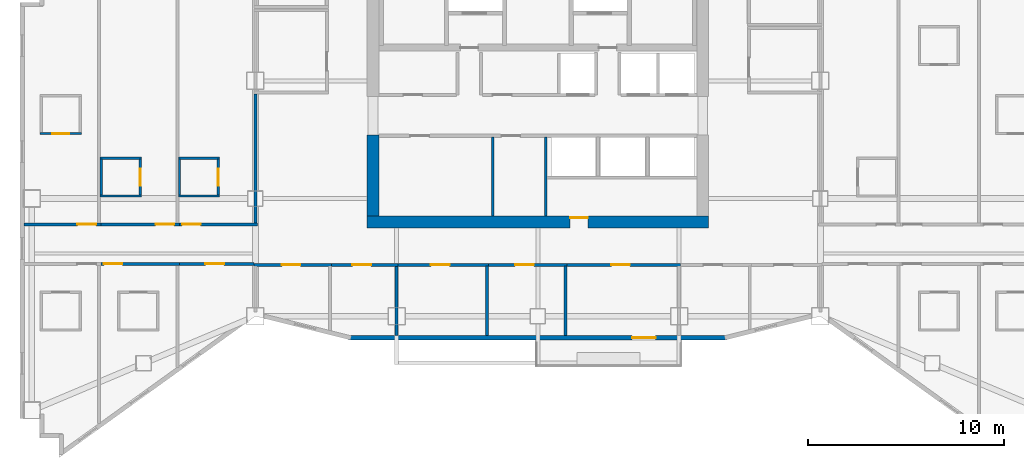
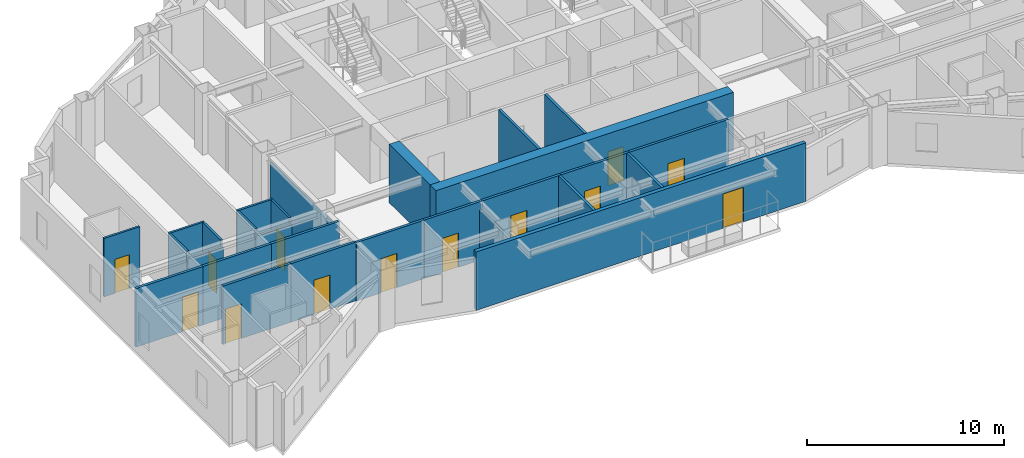
# One storey, part 5 of 11: 28 walls, 15 doors, 15 openings.
"""IFC4 building model written with IfcOpenShell, lengths in metres."""

from ifc_helpers import new_model, si_unit, direction, frame, frame_2d, origin, place, context, subcontext, project, spatial, rectangle, extrude, material, layer, layer_set, type_object, element, fill, save


model = new_model("IFC4")

# Units and contexts
model_context = context("Model", 3, precision=1e-05, world=origin(), true_north=direction((0.0, 1.0)))
body_context = subcontext(model_context, "Body", "Model", "MODEL_VIEW")
ifc_project = project(units=[si_unit("LENGTHUNIT", "METRE"), si_unit("AREAUNIT", "SQUARE_METRE"), si_unit("VOLUMEUNIT", "CUBIC_METRE"), si_unit("PLANEANGLEUNIT", "RADIAN"), si_unit("MASSUNIT", "GRAM", prefix="KILO")], contexts=[model_context])

# Site, building, storey
site_placement = place(None, origin())
site = spatial("IfcSite", under=ifc_project, at=site_placement, CompositionType="ELEMENT")
building_placement = place(site_placement, origin())
building = spatial("IfcBuilding", under=site, at=building_placement, Name="Haolan Belvedere Tower", CompositionType="ELEMENT")
storey_placement = place(building_placement, frame((0.0, 0.0, 188.0)))
storey = spatial("IfcBuildingStorey", under=building, at=storey_placement, Name="L47", CompositionType="ELEMENT", Elevation=188.0)

# Wall, opening, door
ifc_material_1 = material(Name="Concrete C60/75", Category="concrete")
ifc_layer_1 = layer(ifc_material_1, 0.60009765625, Name="Concrete C60/75")
ifc_layer_set_1 = layer_set([ifc_layer_1], Name="Concrete C60/75")
wall_type_1 = type_object("IfcWallType", Name="WL-CORE-600", PredefinedType="SHEAR", material=ifc_layer_set_1)
wall_1_placement = place(storey_placement, frame((29.699951171875, 26.39990234375, 0.0), z_axis=(0.0, 0.0, 1.0), x_axis=(1.0, 0.0, 0.0)))
wall_1 = element("IfcWall", 1, at=wall_1_placement, inside=storey, type_object=wall_type_1, Name="L47 central core south shear wall", PredefinedType="SHEAR", context=body_context, shape_type="SweptSolid", body=[
    extrude(rectangle(XDim=17.400146484375, YDim=0.60009765625, at=frame_2d((8.7001953125, 0.0))), origin(), (0.0, 0.0, 1.0), 3.6201171875),
])
opening_1_placement = place(wall_1_placement, frame((11.25, 0.0, 0.0), z_axis=(0.0, 0.0, 1.0), x_axis=(-1.0, 0.0, 0.0)))
opening_1 = element("IfcOpeningElement", 2, at=opening_1_placement, cuts=wall_1, Name="Opening FD-05", PredefinedType="OPENING", context=body_context, shape_type="SweptSolid", body=[
    extrude(rectangle(XDim=0.89990234375, YDim=2.10009765625, at=frame_2d((0.449951171875, 1.050048828125))), frame((0.0, 0.31005859375, 0.0), z_axis=(0.0, -1.0, 0.0), x_axis=(1.0, 0.0, 0.0)), (0.0, 0.0, 1.0), 0.6201171875),
])
ifc_material_2 = material(Name="Galvanised fire-rated steel", Category="steel")
door_type_1 = type_object("IfcDoorType", Name="DR-FD60-900", OperationType="NOTDEFINED", PredefinedType="DOOR", material=ifc_material_2)
door_1_placement = place(opening_1_placement, origin())
door_1 = element("IfcDoor", 3, at=door_1_placement, inside=storey, type_object=door_type_1, Name="L47 door CD-L47-SCVE", OperationType="SINGLE_SWING_RIGHT", OverallHeight=2.10009765625, OverallWidth=0.89990234375, PredefinedType="DOOR", context=body_context, shape_type="SweptSolid", body=[
    extrude(rectangle(XDim=0.89990234375, YDim=2.10009765625, at=frame_2d((0.449951171875, 1.050048828125))), frame((0.0, -0.19482421875, 0.0), z_axis=(0.0, -1.0, 0.0), x_axis=(1.0, 0.0, 0.0)), (0.0, 0.0, 1.0), 0.050048828125),
])
fill(opening_1, door_1)

# Wall
wall_2_placement = place(storey_placement, frame((30.0, 26.699951171875, 0.0), z_axis=(0.0, 0.0, 1.0), x_axis=(0.0, 1.0, 0.0)))
element("IfcWall", 4, at=wall_2_placement, inside=storey, type_object=wall_type_1, Name="L47 central core shear wall WS", PredefinedType="SHEAR", context=body_context, shape_type="SweptSolid", body=[
    extrude(rectangle(XDim=4.150146484375, YDim=0.60009765625, at=frame_2d((2.0751953125, 0.0))), origin(), (0.0, 0.0, 1.0), 3.6201171875),
])

# Wall, opening, door
ifc_material_3 = material(Name="Precast concrete C40/50", Category="concrete")
ifc_layer_2 = layer(ifc_material_3, 0.219970703125, Name="Precast concrete C40/50")
ifc_layer_set_2 = layer_set([ifc_layer_2], Name="Precast concrete C40/50")
wall_type_2 = type_object("IfcWallType", Name="WL-EXT-220", PredefinedType="SOLIDWALL", material=ifc_layer_set_2)
wall_3_placement = place(storey_placement, frame((28.758544921875, 20.510009765625, 0.0), z_axis=(0.0, 0.0, 1.0), x_axis=(1.0, 0.0, 0.0)))
wall_3 = element("IfcWall", 5, at=wall_3_placement, inside=storey, type_object=wall_type_2, Name="L47 pale-metal exterior spandrel wall 1.1", PredefinedType="SOLIDWALL", context=body_context, shape_type="SweptSolid", body=[
    extrude(rectangle(XDim=19.282958984375, YDim=0.219970703125, at=frame_2d((9.6416015625, 0.0))), origin(), (0.0, 0.0, 1.0), 3.6201171875),
])
opening_2_placement = place(wall_3_placement, frame((15.641357421875, 0.0, 0.0), z_axis=(0.0, 0.0, 1.0), x_axis=(-1.0, 0.0, 0.0)))
opening_2 = element("IfcOpeningElement", 6, at=opening_2_placement, cuts=wall_3, Name="Opening BD-01", PredefinedType="OPENING", context=body_context, shape_type="SweptSolid", body=[
    extrude(rectangle(XDim=1.199951171875, YDim=2.14990234375, at=frame_2d((0.60009765625, 1.074951171875))), frame((0.0, 0.119873046875, 0.0), z_axis=(0.0, -1.0, 0.0), x_axis=(1.0, 0.0, 0.0)), (0.0, 0.0, 1.0), 0.239990234375),
])
ifc_material_4 = material(Name="Thermally broken pale-metal aluminium and Low-E glass", Category="aluminium")
door_type_2 = type_object("IfcDoorType", Name="DR-BAL-1200", OperationType="NOTDEFINED", PredefinedType="DOOR", material=ifc_material_4)
door_2_placement = place(opening_2_placement, origin())
door_2 = element("IfcDoor", 7, at=door_2_placement, inside=storey, type_object=door_type_2, Name="L47 tree-balcony access door 1", OperationType="SINGLE_SWING_LEFT", OverallHeight=2.14990234375, OverallWidth=1.199951171875, PredefinedType="DOOR", context=body_context, shape_type="SweptSolid", body=[
    extrude(rectangle(XDim=1.199951171875, YDim=2.14990234375, at=frame_2d((0.60009765625, 1.074951171875))), frame((0.0, 0.02490234375, 0.0), z_axis=(0.0, -1.0, 0.0), x_axis=(1.0, 0.0, 0.0)), (0.0, 0.0, 1.0), 0.050048828125),
])
fill(opening_2, door_2)

# Wall
ifc_material_5 = material(Name="Double gypsum acoustic stud partition", Category="masonry")
ifc_layer_3 = layer(ifc_material_5, 0.14990234375, Name="Double gypsum acoustic stud partition")
ifc_layer_set_3 = layer_set([ifc_layer_3], Name="Double gypsum acoustic stud partition")
wall_type_3 = type_object("IfcWallType", Name="WL-PART-150", PredefinedType="PARTITIONING", material=ifc_layer_set_3)
wall_4_placement = place(storey_placement, frame((36.10009765625, 26.7099609375, 0.0), z_axis=(0.0, 0.0, 1.0), x_axis=(0.0, 1.0, 0.0)))
element("IfcWall", 8, at=wall_4_placement, inside=storey, type_object=wall_type_3, Name="L47 interior partition IW-L47-DIV-REUSE-PM", PredefinedType="PARTITIONING", context=body_context, shape_type="SweptSolid", body=[
    extrude(rectangle(XDim=4.025146484375, YDim=0.14990234375, at=frame_2d((2.0126953125, 0.0))), origin(), (0.0, 0.0, 1.0), 3.6201171875),
])

# Wall, opening, door
wall_5_placement = place(storey_placement, frame((23.919921875, 24.219970703125, 0.0), z_axis=(0.0, 0.0, 1.0), x_axis=(1.0, 0.0, 0.0)))
wall_5 = element("IfcWall", 9, at=wall_5_placement, inside=storey, type_object=wall_type_3, Name="L47 interior partition IW-L47-KS1-N", PredefinedType="PARTITIONING", context=body_context, shape_type="SweptSolid", body=[
    extrude(rectangle(XDim=3.9599609375, YDim=0.14990234375, at=frame_2d((1.97998046875, 0.0))), origin(), (0.0, 0.0, 1.0), 3.6201171875),
])
opening_3_placement = place(wall_5_placement, frame((2.375, 0.0, 0.0), z_axis=(0.0, 0.0, 1.0), x_axis=(-1.0, 0.0, 0.0)))
opening_3 = element("IfcOpeningElement", 10, at=opening_3_placement, cuts=wall_5, Name="Opening ID-03", PredefinedType="OPENING", context=body_context, shape_type="SweptSolid", body=[
    extrude(rectangle(XDim=0.949951171875, YDim=2.1201171875, at=frame_2d((0.47509765625, 1.06005859375))), frame((0.0, 0.0849609375, 0.0), z_axis=(0.0, -1.0, 0.0), x_axis=(1.0, 0.0, 0.0)), (0.0, 0.0, 1.0), 0.169921875),
])
ifc_material_6 = material(Name="Painted solid-core timber", Category="wood")
door_type_3 = type_object("IfcDoorType", Name="DR-INT-950", OperationType="NOTDEFINED", PredefinedType="DOOR", material=ifc_material_6)
door_3_placement = place(opening_3_placement, origin())
door_3 = element("IfcDoor", 11, at=door_3_placement, inside=storey, type_object=door_type_3, Name="L47 door ID-L47-KS1", OperationType="SINGLE_SWING_LEFT", OverallHeight=2.1201171875, OverallWidth=0.949951171875, PredefinedType="DOOR", context=body_context, shape_type="SweptSolid", body=[
    extrude(rectangle(XDim=0.949951171875, YDim=2.1201171875, at=frame_2d((0.47509765625, 1.06005859375))), frame((0.0, 0.02490234375, 0.0), z_axis=(0.0, -1.0, 0.0), x_axis=(1.0, 0.0, 0.0)), (0.0, 0.0, 1.0), 0.050048828125),
])
fill(opening_3, door_3)

wall_6_placement = place(storey_placement, frame((27.882080078125, 24.219970703125, 0.0), z_axis=(0.0, 0.0, 1.0), x_axis=(1.0, 0.0, 0.0)))
wall_6 = element("IfcWall", 12, at=wall_6_placement, inside=storey, type_object=wall_type_3, Name="L47 interior partition IW-L47-KS2-N", PredefinedType="PARTITIONING", context=body_context, shape_type="SweptSolid", body=[
    extrude(rectangle(XDim=3.39794921875, YDim=0.14990234375, at=frame_2d((1.698974609375, 0.0))), origin(), (0.0, 0.0, 1.0), 3.6201171875),
])
opening_4_placement = place(wall_6_placement, frame((2.012939453125, 0.0, 0.0), z_axis=(0.0, 0.0, 1.0), x_axis=(-1.0, 0.0, 0.0)))
opening_4 = element("IfcOpeningElement", 13, at=opening_4_placement, cuts=wall_6, Name="Opening ID-03", PredefinedType="OPENING", context=body_context, shape_type="SweptSolid", body=[
    extrude(rectangle(XDim=0.949951171875, YDim=2.1201171875, at=frame_2d((0.47509765625, 1.06005859375))), frame((0.0, 0.0849609375, 0.0), z_axis=(0.0, -1.0, 0.0), x_axis=(1.0, 0.0, 0.0)), (0.0, 0.0, 1.0), 0.169921875),
])
door_4_placement = place(opening_4_placement, origin())
door_4 = element("IfcDoor", 14, at=door_4_placement, inside=storey, type_object=door_type_3, Name="L47 door ID-L47-KS2", OperationType="SINGLE_SWING_RIGHT", OverallHeight=2.1201171875, OverallWidth=0.949951171875, PredefinedType="DOOR", context=body_context, shape_type="SweptSolid", body=[
    extrude(rectangle(XDim=0.949951171875, YDim=2.1201171875, at=frame_2d((0.47509765625, 1.06005859375))), frame((0.0, 0.02490234375, 0.0), z_axis=(0.0, -1.0, 0.0), x_axis=(1.0, 0.0, 0.0)), (0.0, 0.0, 1.0), 0.050048828125),
])
fill(opening_4, door_4)

# Wall
wall_7_placement = place(storey_placement, frame((31.199951171875, 20.612060546875, 0.0), z_axis=(0.0, 0.0, 1.0), x_axis=(0.0, 1.0, 0.0)))
element("IfcWall", 15, at=wall_7_placement, inside=storey, type_object=wall_type_3, Name="L47 interior partition IW-L47-KS2-E", PredefinedType="PARTITIONING", context=body_context, shape_type="SweptSolid", body=[
    extrude(rectangle(XDim=3.5478515625, YDim=0.14990234375, at=frame_2d((1.77392578125, 0.0))), origin(), (0.0, 0.0, 1.0), 3.10498046875),
])

# Wall, opening, door
wall_8_placement = place(storey_placement, frame((31.281982421875, 24.219970703125, 0.0), z_axis=(0.0, 0.0, 1.0), x_axis=(1.0, 0.0, 0.0)))
wall_8 = element("IfcWall", 16, at=wall_8_placement, inside=storey, type_object=wall_type_3, Name="L47 interior partition IW-L47-KS3-N", PredefinedType="PARTITIONING", context=body_context, shape_type="SweptSolid", body=[
    extrude(rectangle(XDim=4.597900390625, YDim=0.14990234375, at=frame_2d((2.298828125, 0.0))), origin(), (0.0, 0.0, 1.0), 3.6201171875),
])
opening_5_placement = place(wall_8_placement, frame((2.613037109375, 0.0, 0.0), z_axis=(0.0, 0.0, 1.0), x_axis=(-1.0, 0.0, 0.0)))
opening_5 = element("IfcOpeningElement", 17, at=opening_5_placement, cuts=wall_8, Name="Opening ID-03", PredefinedType="OPENING", context=body_context, shape_type="SweptSolid", body=[
    extrude(rectangle(XDim=0.949951171875, YDim=2.1201171875, at=frame_2d((0.47509765625, 1.06005859375))), frame((0.0, 0.0849609375, 0.0), z_axis=(0.0, -1.0, 0.0), x_axis=(1.0, 0.0, 0.0)), (0.0, 0.0, 1.0), 0.169921875),
])
door_5_placement = place(opening_5_placement, origin())
door_5 = element("IfcDoor", 18, at=door_5_placement, inside=storey, type_object=door_type_3, Name="L47 door ID-L47-KS3", OperationType="SINGLE_SWING_LEFT", OverallHeight=2.1201171875, OverallWidth=0.949951171875, PredefinedType="DOOR", context=body_context, shape_type="SweptSolid", body=[
    extrude(rectangle(XDim=0.949951171875, YDim=2.1201171875, at=frame_2d((0.47509765625, 1.06005859375))), frame((0.0, 0.02490234375, 0.0), z_axis=(0.0, -1.0, 0.0), x_axis=(1.0, 0.0, 0.0)), (0.0, 0.0, 1.0), 0.050048828125),
])
fill(opening_5, door_5)

# Wall
wall_9_placement = place(storey_placement, frame((35.800048828125, 20.612060546875, 0.0), z_axis=(0.0, 0.0, 1.0), x_axis=(0.0, 1.0, 0.0)))
element("IfcWall", 19, at=wall_9_placement, inside=storey, type_object=wall_type_3, Name="L47 interior partition IW-L47-KS3-E", PredefinedType="PARTITIONING", context=body_context, shape_type="SweptSolid", body=[
    extrude(rectangle(XDim=3.5478515625, YDim=0.14990234375, at=frame_2d((1.77392578125, 0.0))), origin(), (0.0, 0.0, 1.0), 3.6201171875),
])

# Wall, opening, door
wall_10_placement = place(storey_placement, frame((35.882080078125, 24.219970703125, 0.0), z_axis=(0.0, 0.0, 1.0), x_axis=(1.0, 0.0, 0.0)))
wall_10 = element("IfcWall", 20, at=wall_10_placement, inside=storey, type_object=wall_type_3, Name="L47 interior partition IW-L47-KS4-N", PredefinedType="PARTITIONING", context=body_context, shape_type="SweptSolid", body=[
    extrude(rectangle(XDim=3.997802734375, YDim=0.14990234375, at=frame_2d((1.9990234375, 0.0))), origin(), (0.0, 0.0, 1.0), 3.6201171875),
])
opening_6_placement = place(wall_10_placement, frame((2.31298828125, 0.0, 0.0), z_axis=(0.0, 0.0, 1.0), x_axis=(-1.0, 0.0, 0.0)))
opening_6 = element("IfcOpeningElement", 21, at=opening_6_placement, cuts=wall_10, Name="Opening ID-03", PredefinedType="OPENING", context=body_context, shape_type="SweptSolid", body=[
    extrude(rectangle(XDim=0.949951171875, YDim=2.1201171875, at=frame_2d((0.47509765625, 1.06005859375))), frame((0.0, 0.0849609375, 0.0), z_axis=(0.0, -1.0, 0.0), x_axis=(1.0, 0.0, 0.0)), (0.0, 0.0, 1.0), 0.169921875),
])
door_6_placement = place(opening_6_placement, origin())
door_6 = element("IfcDoor", 22, at=door_6_placement, inside=storey, type_object=door_type_3, Name="L47 door ID-L47-KS4", OperationType="SINGLE_SWING_RIGHT", OverallHeight=2.1201171875, OverallWidth=0.949951171875, PredefinedType="DOOR", context=body_context, shape_type="SweptSolid", body=[
    extrude(rectangle(XDim=0.949951171875, YDim=2.1201171875, at=frame_2d((0.47509765625, 1.06005859375))), frame((0.0, 0.02490234375, 0.0), z_axis=(0.0, -1.0, 0.0), x_axis=(1.0, 0.0, 0.0)), (0.0, 0.0, 1.0), 0.050048828125),
])
fill(opening_6, door_6)

# Wall
wall_11_placement = place(storey_placement, frame((39.800048828125, 20.612060546875, 0.0), z_axis=(0.0, 0.0, 1.0), x_axis=(0.0, 1.0, 0.0)))
element("IfcWall", 23, at=wall_11_placement, inside=storey, type_object=wall_type_3, Name="L47 interior partition IW-L47-KS4-E", PredefinedType="PARTITIONING", context=body_context, shape_type="SweptSolid", body=[
    extrude(rectangle(XDim=3.5478515625, YDim=0.14990234375, at=frame_2d((1.77392578125, 0.0))), origin(), (0.0, 0.0, 1.0), 3.6201171875),
])

# Wall, opening, door
wall_12_placement = place(storey_placement, frame((39.882080078125, 24.219970703125, 0.0), z_axis=(0.0, 0.0, 1.0), x_axis=(1.0, 0.0, 0.0)))
wall_12 = element("IfcWall", 24, at=wall_12_placement, inside=storey, type_object=wall_type_3, Name="L47 interior partition IW-L47-KS5-N", PredefinedType="PARTITIONING", context=body_context, shape_type="SweptSolid", body=[
    extrude(rectangle(XDim=5.7978515625, YDim=0.14990234375, at=frame_2d((2.89892578125, 0.0))), origin(), (0.0, 0.0, 1.0), 3.6201171875),
])
opening_7_placement = place(wall_12_placement, frame((3.212890625, 0.0, 0.0), z_axis=(0.0, 0.0, 1.0), x_axis=(-1.0, 0.0, 0.0)))
opening_7 = element("IfcOpeningElement", 25, at=opening_7_placement, cuts=wall_12, Name="Opening ID-03", PredefinedType="OPENING", context=body_context, shape_type="SweptSolid", body=[
    extrude(rectangle(XDim=0.949951171875, YDim=2.1201171875, at=frame_2d((0.47509765625, 1.06005859375))), frame((0.0, 0.0849609375, 0.0), z_axis=(0.0, -1.0, 0.0), x_axis=(1.0, 0.0, 0.0)), (0.0, 0.0, 1.0), 0.169921875),
])
door_7_placement = place(opening_7_placement, origin())
door_7 = element("IfcDoor", 26, at=door_7_placement, inside=storey, type_object=door_type_3, Name="L47 door ID-L47-KS5", OperationType="SINGLE_SWING_LEFT", OverallHeight=2.1201171875, OverallWidth=0.949951171875, PredefinedType="DOOR", context=body_context, shape_type="SweptSolid", body=[
    extrude(rectangle(XDim=0.949951171875, YDim=2.1201171875, at=frame_2d((0.47509765625, 1.06005859375))), frame((0.0, 0.02490234375, 0.0), z_axis=(0.0, -1.0, 0.0), x_axis=(1.0, 0.0, 0.0)), (0.0, 0.0, 1.0), 0.050048828125),
])
fill(opening_7, door_7)

wall_13_placement = place(storey_placement, frame((12.2119140625, 26.280029296875, 0.0), z_axis=(0.0, 0.0, 1.0), x_axis=(1.0, 0.0, 0.0)))
wall_13 = element("IfcWall", 27, at=wall_13_placement, inside=storey, type_object=wall_type_3, Name="L47 interior partition IW-L47-T2N1-S", PredefinedType="PARTITIONING", context=body_context, shape_type="SweptSolid", body=[
    extrude(rectangle(XDim=3.91796875, YDim=0.14990234375, at=frame_2d((1.958984375, 0.0))), origin(), (0.0, 0.0, 1.0), 3.6201171875),
])
opening_8_placement = place(wall_13_placement, frame((2.71337890625, 0.0, 0.0)))
opening_8 = element("IfcOpeningElement", 28, at=opening_8_placement, cuts=wall_13, Name="Opening ID-02", PredefinedType="OPENING", context=body_context, shape_type="SweptSolid", body=[
    extrude(rectangle(XDim=0.949951171875, YDim=2.14990234375, at=frame_2d((0.47509765625, 1.074951171875))), frame((0.0, 0.0849609375, 0.0), z_axis=(0.0, -1.0, 0.0), x_axis=(1.0, 0.0, 0.0)), (0.0, 0.0, 1.0), 0.169921875),
])
ifc_material_7 = material(Name="Acoustic oak veneer fire-rated timber", Category="wood")
door_type_4 = type_object("IfcDoorType", Name="DR-GUEST-950", OperationType="NOTDEFINED", PredefinedType="DOOR", material=ifc_material_7)
door_8_placement = place(opening_8_placement, origin())
door_8 = element("IfcDoor", 29, at=door_8_placement, inside=storey, type_object=door_type_4, Name="L47 door ID-L47-T2N1-ENT", OperationType="SINGLE_SWING_RIGHT", OverallHeight=2.14990234375, OverallWidth=0.949951171875, PredefinedType="DOOR", context=body_context, shape_type="SweptSolid", body=[
    extrude(rectangle(XDim=0.949951171875, YDim=2.14990234375, at=frame_2d((0.47509765625, 1.074951171875))), frame((0.0, 0.02490234375, 0.0), z_axis=(0.0, -1.0, 0.0), x_axis=(1.0, 0.0, 0.0)), (0.0, 0.0, 1.0), 0.050048828125),
])
fill(opening_8, door_8)

wall_14_placement = place(storey_placement, frame((16.132080078125, 26.280029296875, 0.0), z_axis=(0.0, 0.0, 1.0), x_axis=(1.0, 0.0, 0.0)))
wall_14 = element("IfcWall", 30, at=wall_14_placement, inside=storey, type_object=wall_type_3, Name="L47 interior partition IW-L47-T2N2-S", PredefinedType="PARTITIONING", context=body_context, shape_type="SweptSolid", body=[
    extrude(rectangle(XDim=3.988037109375, YDim=0.14990234375, at=frame_2d((1.994140625, 0.0))), origin(), (0.0, 0.0, 1.0), 3.6201171875),
])
opening_9_placement = place(wall_14_placement, frame((2.781005859375, 0.0, 0.0)))
opening_9 = element("IfcOpeningElement", 31, at=opening_9_placement, cuts=wall_14, Name="Opening ID-01", PredefinedType="OPENING", context=body_context, shape_type="SweptSolid", body=[
    extrude(rectangle(XDim=0.949951171875, YDim=2.179931640625, at=frame_2d((0.47509765625, 1.08984375))), frame((0.0, 0.0849609375, 0.0), z_axis=(0.0, -1.0, 0.0), x_axis=(1.0, 0.0, 0.0)), (0.0, 0.0, 1.0), 0.169921875),
])
ifc_material_8 = material(Name="Acoustic walnut veneer fire-rated timber", Category="wood")
door_type_5 = type_object("IfcDoorType", Name="DR-SUITE-950", OperationType="NOTDEFINED", PredefinedType="DOOR", material=ifc_material_8)
door_9_placement = place(opening_9_placement, origin())
door_9 = element("IfcDoor", 32, at=door_9_placement, inside=storey, type_object=door_type_5, Name="L47 door ID-L47-T2N2-ENT", OperationType="SINGLE_SWING_LEFT", OverallHeight=2.179931640625, OverallWidth=0.949951171875, PredefinedType="DOOR", context=body_context, shape_type="SweptSolid", body=[
    extrude(rectangle(XDim=0.949951171875, YDim=2.179931640625, at=frame_2d((0.47509765625, 1.08984375))), frame((0.0, 0.02490234375, 0.0), z_axis=(0.0, -1.0, 0.0), x_axis=(1.0, 0.0, 0.0)), (0.0, 0.0, 1.0), 0.050048828125),
])
fill(opening_9, door_9)

wall_15_placement = place(storey_placement, frame((20.1220703125, 26.280029296875, 0.0), z_axis=(0.0, 0.0, 1.0), x_axis=(1.0, 0.0, 0.0)))
wall_15 = element("IfcWall", 33, at=wall_15_placement, inside=storey, type_object=wall_type_3, Name="L47 interior partition IW-L47-T2N3-S", PredefinedType="PARTITIONING", context=body_context, shape_type="SweptSolid", body=[
    extrude(rectangle(XDim=3.97802734375, YDim=0.14990234375, at=frame_2d((1.989013671875, 0.0))), origin(), (0.0, 0.0, 1.0), 3.6201171875),
])
opening_10_placement = place(wall_15_placement, frame((0.139892578125, 0.0, 0.0)))
opening_10 = element("IfcOpeningElement", 34, at=opening_10_placement, cuts=wall_15, Name="Opening ID-01", PredefinedType="OPENING", context=body_context, shape_type="SweptSolid", body=[
    extrude(rectangle(XDim=0.949951171875, YDim=2.179931640625, at=frame_2d((0.47509765625, 1.08984375))), frame((0.0, 0.0849609375, 0.0), z_axis=(0.0, -1.0, 0.0), x_axis=(1.0, 0.0, 0.0)), (0.0, 0.0, 1.0), 0.169921875),
])
door_10_placement = place(opening_10_placement, origin())
door_10 = element("IfcDoor", 35, at=door_10_placement, inside=storey, type_object=door_type_5, Name="L47 door ID-L47-T2N3-ENT", OperationType="SINGLE_SWING_RIGHT", OverallHeight=2.179931640625, OverallWidth=0.949951171875, PredefinedType="DOOR", context=body_context, shape_type="SweptSolid", body=[
    extrude(rectangle(XDim=0.949951171875, YDim=2.179931640625, at=frame_2d((0.47509765625, 1.08984375))), frame((0.0, 0.02490234375, 0.0), z_axis=(0.0, -1.0, 0.0), x_axis=(1.0, 0.0, 0.0)), (0.0, 0.0, 1.0), 0.050048828125),
])
fill(opening_10, door_10)

# Wall
wall_16_placement = place(storey_placement, frame((24.0, 26.340087890625, 0.0), z_axis=(0.0, 0.0, 1.0), x_axis=(0.0, 1.0, 0.0)))
element("IfcWall", 36, at=wall_16_placement, inside=storey, type_object=wall_type_3, Name="L47 interior partition IW-L47-T2N3-E", PredefinedType="PARTITIONING", context=body_context, shape_type="SweptSolid", body=[
    extrude(rectangle(XDim=6.599853515625, YDim=0.14990234375, at=frame_2d((3.2998046875, 0.0))), origin(), (0.0, 0.0, 1.0), 3.215087890625),
])

# Wall, opening, door
wall_17_placement = place(storey_placement, frame((16.132080078125, 24.27001953125, 0.0), z_axis=(0.0, 0.0, 1.0), x_axis=(1.0, 0.0, 0.0)))
wall_17 = element("IfcWall", 37, at=wall_17_placement, inside=storey, type_object=wall_type_3, Name="L47 interior partition IW-L47-T2S2-N", PredefinedType="PARTITIONING", context=body_context, shape_type="SweptSolid", body=[
    extrude(rectangle(XDim=3.988037109375, YDim=0.14990234375, at=frame_2d((1.994140625, 0.0))), origin(), (0.0, 0.0, 1.0), 3.6201171875),
])
opening_11_placement = place(wall_17_placement, frame((1.08984375, 0.0, 0.0), z_axis=(0.0, 0.0, 1.0), x_axis=(-1.0, 0.0, 0.0)))
opening_11 = element("IfcOpeningElement", 38, at=opening_11_placement, cuts=wall_17, Name="Opening ID-02", PredefinedType="OPENING", context=body_context, shape_type="SweptSolid", body=[
    extrude(rectangle(XDim=0.949951171875, YDim=2.14990234375, at=frame_2d((0.47509765625, 1.074951171875))), frame((0.0, 0.0849609375, 0.0), z_axis=(0.0, -1.0, 0.0), x_axis=(1.0, 0.0, 0.0)), (0.0, 0.0, 1.0), 0.169921875),
])
door_11_placement = place(opening_11_placement, origin())
door_11 = element("IfcDoor", 39, at=door_11_placement, inside=storey, type_object=door_type_4, Name="L47 door ID-L47-T2S2-ENT", OperationType="SINGLE_SWING_RIGHT", OverallHeight=2.14990234375, OverallWidth=0.949951171875, PredefinedType="DOOR", context=body_context, shape_type="SweptSolid", body=[
    extrude(rectangle(XDim=0.949951171875, YDim=2.14990234375, at=frame_2d((0.47509765625, 1.074951171875))), frame((0.0, 0.02490234375, 0.0), z_axis=(0.0, -1.0, 0.0), x_axis=(1.0, 0.0, 0.0)), (0.0, 0.0, 1.0), 0.050048828125),
])
fill(opening_11, door_11)

wall_18_placement = place(storey_placement, frame((20.1220703125, 24.27001953125, 0.0), z_axis=(0.0, 0.0, 1.0), x_axis=(1.0, 0.0, 0.0)))
wall_18 = element("IfcWall", 40, at=wall_18_placement, inside=storey, type_object=wall_type_3, Name="L47 interior partition IW-L47-T2S3-N", PredefinedType="PARTITIONING", context=body_context, shape_type="SweptSolid", body=[
    extrude(rectangle(XDim=3.7958984375, YDim=0.14990234375, at=frame_2d((1.89794921875, 0.0))), origin(), (0.0, 0.0, 1.0), 3.6201171875),
])
opening_12_placement = place(wall_18_placement, frame((2.282958984375, 0.0, 0.0), z_axis=(0.0, 0.0, 1.0), x_axis=(-1.0, 0.0, 0.0)))
opening_12 = element("IfcOpeningElement", 41, at=opening_12_placement, cuts=wall_18, Name="Opening ID-03", PredefinedType="OPENING", context=body_context, shape_type="SweptSolid", body=[
    extrude(rectangle(XDim=0.949951171875, YDim=2.1201171875, at=frame_2d((0.47509765625, 1.06005859375))), frame((0.0, 0.0849609375, 0.0), z_axis=(0.0, -1.0, 0.0), x_axis=(1.0, 0.0, 0.0)), (0.0, 0.0, 1.0), 0.169921875),
])
door_12_placement = place(opening_12_placement, origin())
door_12 = element("IfcDoor", 42, at=door_12_placement, inside=storey, type_object=door_type_3, Name="L47 door ID-L47-T2S3", OperationType="SINGLE_SWING_LEFT", OverallHeight=2.1201171875, OverallWidth=0.949951171875, PredefinedType="DOOR", context=body_context, shape_type="SweptSolid", body=[
    extrude(rectangle(XDim=0.949951171875, YDim=2.1201171875, at=frame_2d((0.47509765625, 1.06005859375))), frame((0.0, 0.02490234375, 0.0), z_axis=(0.0, -1.0, 0.0), x_axis=(1.0, 0.0, 0.0)), (0.0, 0.0, 1.0), 0.050048828125),
])
fill(opening_12, door_12)

# Wall
ifc_material_9 = material(Name="Gypsum fire shaftwall assembly", Category="masonry")
ifc_layer_4 = layer(ifc_material_9, 0.1650390625, Name="Gypsum fire shaftwall assembly")
ifc_layer_set_4 = layer_set([ifc_layer_4], Name="Gypsum fire shaftwall assembly")
wall_type_4 = type_object("IfcWallType", Name="WL-SHAFT-160", PredefinedType="SOLIDWALL", material=ifc_layer_set_4)
wall_19_placement = place(storey_placement, frame((38.800048828125, 26.7099609375, 0.0), z_axis=(0.0, 0.0, 1.0), x_axis=(0.0, 1.0, 0.0)))
element("IfcWall", 43, at=wall_19_placement, inside=storey, type_object=wall_type_4, Name="L47 interior partition IW-L47-DIV-PM-OB", PredefinedType="SOLIDWALL", context=body_context, shape_type="SweptSolid", body=[
    extrude(rectangle(XDim=4.025146484375, YDim=0.14990234375, at=frame_2d((2.0126953125, 0.0))), origin(), (0.0, 0.0, 1.0), 3.6201171875),
])

# Wall, opening, door
ifc_material_10 = material(Name="Moisture-resistant gypsum tile partition", Category="masonry")
ifc_layer_5 = layer(ifc_material_10, 0.1201171875, Name="Moisture-resistant gypsum tile partition")
ifc_layer_set_5 = layer_set([ifc_layer_5], Name="Moisture-resistant gypsum tile partition")
wall_type_5 = type_object("IfcWallType", Name="WL-WET-120", PredefinedType="PARTITIONING", material=ifc_layer_set_5)
wall_20_placement = place(storey_placement, frame((13.030029296875, 30.9150390625, 0.0), z_axis=(0.0, 0.0, 1.0), x_axis=(1.0, 0.0, 0.0)))
wall_20 = element("IfcWall", 44, at=wall_20_placement, inside=storey, type_object=wall_type_5, Name="L47 interior partition IW-L47-T2N1-BS", PredefinedType="PARTITIONING", context=body_context, shape_type="SweptSolid", body=[
    extrude(rectangle(XDim=2.099853515625, YDim=0.1201171875, at=frame_2d((1.0498046875, 0.0))), origin(), (0.0, 0.0, 1.0), 3.6201171875),
])
opening_13_placement = place(wall_20_placement, frame((0.625, 0.0, 0.0)))
opening_13 = element("IfcOpeningElement", 45, at=opening_13_placement, cuts=wall_20, Name="Opening ID-05", PredefinedType="OPENING", context=body_context, shape_type="SweptSolid", body=[
    extrude(rectangle(XDim=0.85009765625, YDim=2.10009765625, at=frame_2d((0.425048828125, 1.050048828125))), frame((0.0, 0.070068359375, 0.0), z_axis=(0.0, -1.0, 0.0), x_axis=(1.0, 0.0, 0.0)), (0.0, 0.0, 1.0), 0.14013671875),
])
ifc_material_11 = material(Name="Moisture-resistant lacquered timber", Category="wood")
door_type_6 = type_object("IfcDoorType", Name="DR-BATH-850", OperationType="NOTDEFINED", PredefinedType="DOOR", material=ifc_material_11)
door_13_placement = place(opening_13_placement, origin())
door_13 = element("IfcDoor", 46, at=door_13_placement, inside=storey, type_object=door_type_6, Name="L47 door ID-L47-T2N1-BATH", OperationType="SINGLE_SWING_LEFT", OverallHeight=2.10009765625, OverallWidth=0.85009765625, PredefinedType="DOOR", context=body_context, shape_type="SweptSolid", body=[
    extrude(rectangle(XDim=0.85009765625, YDim=2.10009765625, at=frame_2d((0.425048828125, 1.050048828125))), frame((0.0, 0.02490234375, 0.0), z_axis=(0.0, -1.0, 0.0), x_axis=(1.0, 0.0, 0.0)), (0.0, 0.0, 1.0), 0.050048828125),
])
fill(opening_13, door_13)

# Walls
wall_21_placement = place(storey_placement, frame((16.090087890625, 29.64990234375, 0.0), z_axis=(0.0, 0.0, 1.0), x_axis=(1.0, 0.0, 0.0)))
element("IfcWall", 47, at=wall_21_placement, inside=storey, type_object=wall_type_5, Name="L47 interior partition IW-L47-T2N2-BN", PredefinedType="PARTITIONING", context=body_context, shape_type="SweptSolid", body=[
    extrude(rectangle(XDim=2.09130859375, YDim=0.1201171875, at=frame_2d((1.045654296875, 0.0))), origin(), (0.0, 0.0, 1.0), 3.6201171875),
])
wall_22_placement = place(storey_placement, frame((16.090087890625, 27.72998046875, 0.0), z_axis=(0.0, 0.0, 1.0), x_axis=(1.0, 0.0, 0.0)))
element("IfcWall", 48, at=wall_22_placement, inside=storey, type_object=wall_type_5, Name="L47 interior partition IW-L47-T2N2-BS", PredefinedType="PARTITIONING", context=body_context, shape_type="SweptSolid", body=[
    extrude(rectangle(XDim=2.09130859375, YDim=0.1201171875, at=frame_2d((1.045654296875, 0.0))), origin(), (0.0, 0.0, 1.0), 3.215087890625),
])
wall_23_placement = place(storey_placement, frame((16.141357421875, 27.77490234375, 0.0), z_axis=(0.0, 0.0, 1.0), x_axis=(0.0, 1.0, 0.0)))
element("IfcWall", 49, at=wall_23_placement, inside=storey, type_object=wall_type_5, Name="L47 interior partition IW-L47-T2N2-BW", PredefinedType="PARTITIONING", context=body_context, shape_type="SweptSolid", body=[
    extrude(rectangle(XDim=1.830078125, YDim=0.1201171875, at=frame_2d((0.9150390625, 0.0))), origin(), (0.0, 0.0, 1.0), 3.6201171875),
])

# Wall, opening, door
wall_24_placement = place(storey_placement, frame((18.121337890625, 27.77490234375, 0.0), z_axis=(0.0, 0.0, 1.0), x_axis=(0.0, 1.0, 0.0)))
wall_24 = element("IfcWall", 50, at=wall_24_placement, inside=storey, type_object=wall_type_5, Name="L47 interior partition IW-L47-T2N2-BE", PredefinedType="PARTITIONING", context=body_context, shape_type="SweptSolid", body=[
    extrude(rectangle(XDim=1.830078125, YDim=0.1201171875, at=frame_2d((0.9150390625, 0.0))), origin(), (0.0, 0.0, 1.0), 3.6201171875),
])
opening_14_placement = place(wall_24_placement, frame((0.489990234375, 0.0, 0.0)))
opening_14 = element("IfcOpeningElement", 51, at=opening_14_placement, cuts=wall_24, Name="Opening ID-05", PredefinedType="OPENING", context=body_context, shape_type="SweptSolid", body=[
    extrude(rectangle(XDim=0.85009765625, YDim=2.10009765625, at=frame_2d((0.425048828125, 1.050048828125))), frame((0.0, 0.070068359375, 0.0), z_axis=(0.0, -1.0, 0.0), x_axis=(1.0, 0.0, 0.0)), (0.0, 0.0, 1.0), 0.14013671875),
])
door_14_placement = place(opening_14_placement, origin())
door_14 = element("IfcDoor", 52, at=door_14_placement, inside=storey, type_object=door_type_6, Name="L47 door ID-L47-T2N2-BATH", OperationType="SINGLE_SWING_RIGHT", OverallHeight=2.10009765625, OverallWidth=0.85009765625, PredefinedType="DOOR", context=body_context, shape_type="SweptSolid", body=[
    extrude(rectangle(XDim=0.85009765625, YDim=2.10009765625, at=frame_2d((0.425048828125, 1.050048828125))), frame((0.0, 0.02490234375, 0.0), z_axis=(0.0, -1.0, 0.0), x_axis=(1.0, 0.0, 0.0)), (0.0, 0.0, 1.0), 0.050048828125),
])
fill(opening_14, door_14)

# Walls
wall_25_placement = place(storey_placement, frame((20.080078125, 29.64990234375, 0.0), z_axis=(0.0, 0.0, 1.0), x_axis=(1.0, 0.0, 0.0)))
element("IfcWall", 53, at=wall_25_placement, inside=storey, type_object=wall_type_5, Name="L47 interior partition IW-L47-T2N3-BN", PredefinedType="PARTITIONING", context=body_context, shape_type="SweptSolid", body=[
    extrude(rectangle(XDim=2.09423828125, YDim=0.1201171875, at=frame_2d((1.047119140625, 0.0))), origin(), (0.0, 0.0, 1.0), 3.6201171875),
])
wall_26_placement = place(storey_placement, frame((20.080078125, 27.72998046875, 0.0), z_axis=(0.0, 0.0, 1.0), x_axis=(1.0, 0.0, 0.0)))
element("IfcWall", 54, at=wall_26_placement, inside=storey, type_object=wall_type_5, Name="L47 interior partition IW-L47-T2N3-BS", PredefinedType="PARTITIONING", context=body_context, shape_type="SweptSolid", body=[
    extrude(rectangle(XDim=2.09423828125, YDim=0.1201171875, at=frame_2d((1.047119140625, 0.0))), origin(), (0.0, 0.0, 1.0), 3.215087890625),
])
wall_27_placement = place(storey_placement, frame((20.13427734375, 27.77490234375, 0.0), z_axis=(0.0, 0.0, 1.0), x_axis=(0.0, 1.0, 0.0)))
element("IfcWall", 55, at=wall_27_placement, inside=storey, type_object=wall_type_5, Name="L47 interior partition IW-L47-T2N3-BW", PredefinedType="PARTITIONING", context=body_context, shape_type="SweptSolid", body=[
    extrude(rectangle(XDim=1.830078125, YDim=0.1201171875, at=frame_2d((0.9150390625, 0.0))), origin(), (0.0, 0.0, 1.0), 3.6201171875),
])

# Wall, opening, door
wall_28_placement = place(storey_placement, frame((22.1142578125, 27.77490234375, 0.0), z_axis=(0.0, 0.0, 1.0), x_axis=(0.0, 1.0, 0.0)))
wall_28 = element("IfcWall", 56, at=wall_28_placement, inside=storey, type_object=wall_type_5, Name="L47 interior partition IW-L47-T2N3-BE", PredefinedType="PARTITIONING", context=body_context, shape_type="SweptSolid", body=[
    extrude(rectangle(XDim=1.830078125, YDim=0.1201171875, at=frame_2d((0.9150390625, 0.0))), origin(), (0.0, 0.0, 1.0), 3.6201171875),
])
opening_15_placement = place(wall_28_placement, frame((0.489990234375, 0.0, 0.0)))
opening_15 = element("IfcOpeningElement", 57, at=opening_15_placement, cuts=wall_28, Name="Opening ID-05", PredefinedType="OPENING", context=body_context, shape_type="SweptSolid", body=[
    extrude(rectangle(XDim=0.85009765625, YDim=2.10009765625, at=frame_2d((0.425048828125, 1.050048828125))), frame((0.0, 0.070068359375, 0.0), z_axis=(0.0, -1.0, 0.0), x_axis=(1.0, 0.0, 0.0)), (0.0, 0.0, 1.0), 0.14013671875),
])
door_15_placement = place(opening_15_placement, origin())
door_15 = element("IfcDoor", 58, at=door_15_placement, inside=storey, type_object=door_type_6, Name="L47 door ID-L47-T2N3-BATH", OperationType="SINGLE_SWING_LEFT", OverallHeight=2.10009765625, OverallWidth=0.85009765625, PredefinedType="DOOR", context=body_context, shape_type="SweptSolid", body=[
    extrude(rectangle(XDim=0.85009765625, YDim=2.10009765625, at=frame_2d((0.425048828125, 1.050048828125))), frame((0.0, 0.02490234375, 0.0), z_axis=(0.0, -1.0, 0.0), x_axis=(1.0, 0.0, 0.0)), (0.0, 0.0, 1.0), 0.050048828125),
])
fill(opening_15, door_15)

save(model, "model.ifc")
